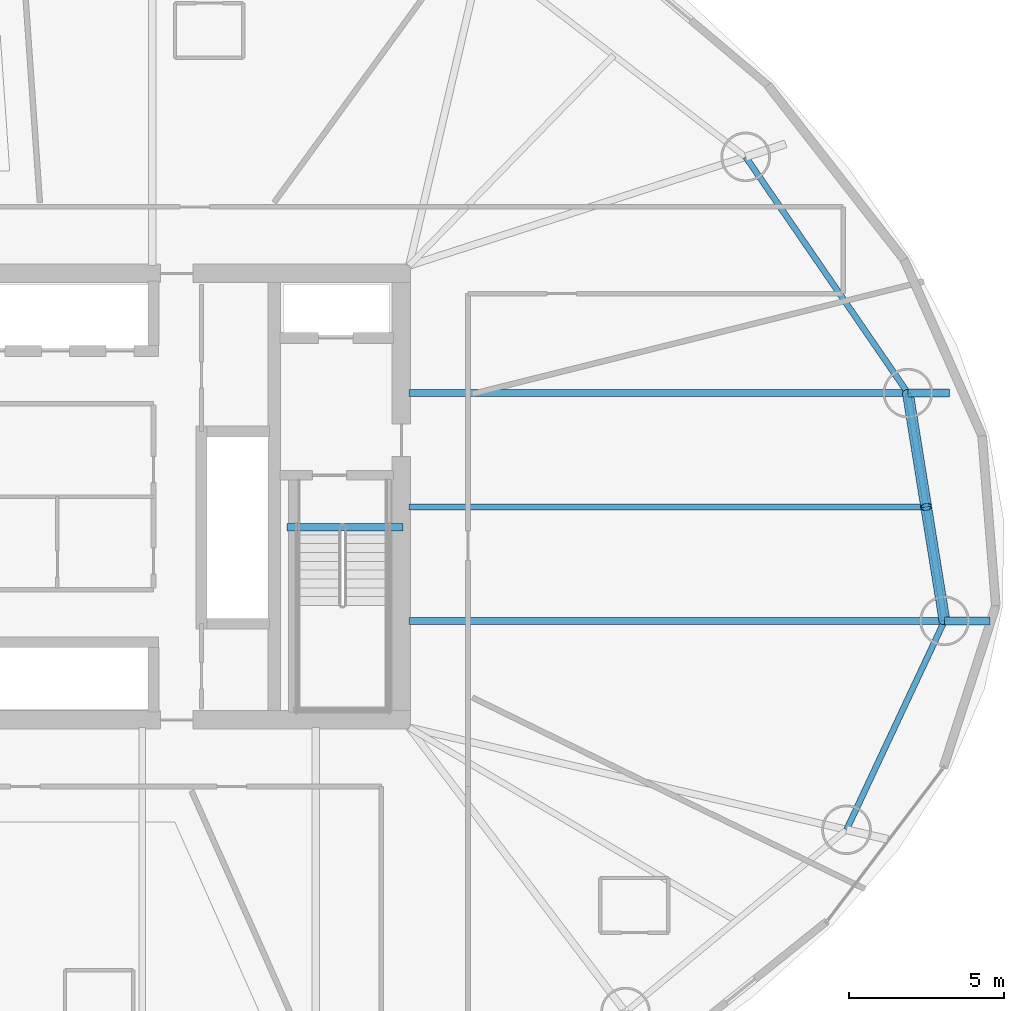
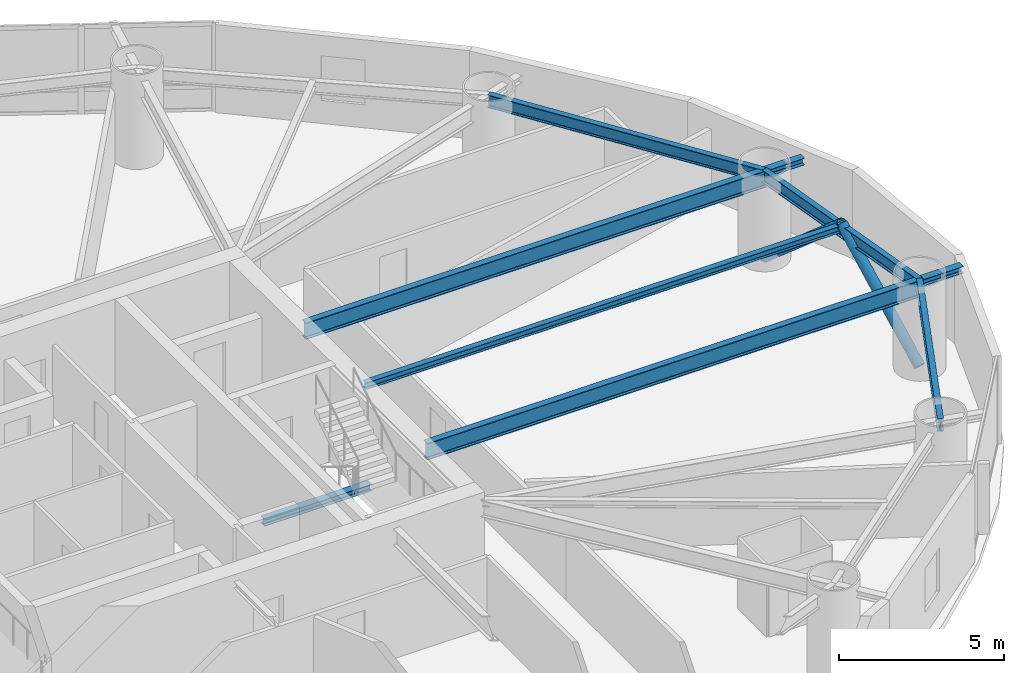
# One storey, part 6 of 19: 9 beams, 2 members.
"""IFC4 building model written with IfcOpenShell, lengths in metres."""

from ifc_helpers import new_model, si_unit, direction, frame, origin, origin_2d, place, context, subcontext, project, spatial, hollow_circle, i_section, extrude, material, material_profile, profile_set, type_object, element, save


model = new_model("IFC4")

# Units and contexts
model_context = context("Model", 3, precision=1e-05, world=origin(), true_north=direction((0.0, 1.0)))
body_context = subcontext(model_context, "Body", "Model", "MODEL_VIEW")
ifc_project = project(units=[si_unit("LENGTHUNIT", "METRE"), si_unit("AREAUNIT", "SQUARE_METRE"), si_unit("VOLUMEUNIT", "CUBIC_METRE"), si_unit("PLANEANGLEUNIT", "RADIAN"), si_unit("MASSUNIT", "GRAM", prefix="KILO")], contexts=[model_context])

# Site, building, storey
site_placement = place(None, origin())
site = spatial("IfcSite", under=ifc_project, at=site_placement, CompositionType="ELEMENT")
building_placement = place(site_placement, origin())
building = spatial("IfcBuilding", under=site, at=building_placement, Name="Bramvorn Convention Spire", CompositionType="ELEMENT")
storey_placement = place(building_placement, frame((0.0, 0.0, 62.39990234375)))
storey = spatial("IfcBuildingStorey", under=building, at=storey_placement, Name="L13", CompositionType="ELEMENT", Elevation=62.39990234375)

# Beams
ifc_material = material(Name="Steel CSA G40.21 Grade 350 (350W)", Category="steel")
ifc_material_profile_1 = material_profile(ifc_material, i_section(OverallWidth=0.201904296875, OverallDepth=0.2470703125, WebThickness=0.00732421875, FlangeThickness=0.010986328125, FilletRadius=0.011962890625, at=origin_2d()))
ifc_profile_set_1 = profile_set([ifc_material_profile_1], Name="Steel CSA G40.21 Grade 350 (350W) - W250X49")
beam_type_1 = type_object("IfcBeamType", Name="BM-W250X49", PredefinedType="JOIST", material=ifc_profile_set_1)
beam_1_placement = place(storey_placement, frame((49.25, 25.666015625, 3.126708984375), z_axis=(1.0, 0.0, 0.0), x_axis=(0.0, 1.0, 0.0)))
element("IfcBeam", 1, at=beam_1_placement, inside=storey, type_object=beam_type_1, Name="L13 composite floor joist 01", PredefinedType="JOIST", context=body_context, shape_type="SweptSolid", body=[
    extrude(i_section(OverallWidth=0.201904296875, OverallDepth=0.2470703125, WebThickness=0.00732421875, FlangeThickness=0.010986328125, FilletRadius=0.011962890625, at=origin_2d()), origin(), (0.0, 0.0, 1.0), 16.67919921875),
])
ifc_material_profile_2 = material_profile(ifc_material, i_section(OverallWidth=0.25390625, OverallDepth=0.2529296875, WebThickness=0.008544921875, FlangeThickness=0.01416015625, FilletRadius=0.011962890625, at=origin_2d()))
ifc_profile_set_2 = profile_set([ifc_material_profile_2], Name="Steel CSA G40.21 Grade 350 (350W) - W250X73")
beam_type_2 = type_object("IfcBeamType", Name="BM-W250X73", PredefinedType="BEAM", material=ifc_profile_set_2)
beam_2_placement = place(storey_placement, frame((66.519775390625, 21.99169921875, 3.12353515625), z_axis=(1.0, 0.0, 0.0), x_axis=(0.0, 1.0, 0.0)))
element("IfcBeam", 2, at=beam_2_placement, inside=storey, type_object=beam_type_2, Name="L13 slab-edge cantilever tip beam MC01", PredefinedType="BEAM", context=body_context, shape_type="SweptSolid", body=[
    extrude(i_section(OverallWidth=0.25390625, OverallDepth=0.2529296875, WebThickness=0.008544921875, FlangeThickness=0.01416015625, FilletRadius=0.011962890625, at=origin_2d()), origin(), (0.0, 0.0, 1.0), 1.464599609375),
])
beam_3_placement = place(storey_placement, frame((65.338623046875, 29.340087890625, 3.12353515625), z_axis=(1.0, 0.0, 0.0), x_axis=(0.0, 1.0, 0.0)))
element("IfcBeam", 3, at=beam_3_placement, inside=storey, type_object=beam_type_2, Name="L13 slab-edge cantilever tip beam MC02", PredefinedType="BEAM", context=body_context, shape_type="SweptSolid", body=[
    extrude(i_section(OverallWidth=0.25390625, OverallDepth=0.2529296875, WebThickness=0.008544921875, FlangeThickness=0.01416015625, FilletRadius=0.011962890625, at=origin_2d()), origin(), (0.0, 0.0, 1.0), 1.3349609375),
])
beam_4_placement = place(storey_placement, frame((45.31005859375, 25.010009765625, -0.12646484375), z_axis=(1.0, 0.0, 0.0), x_axis=(0.0, 1.0, 0.0)))
element("IfcBeam", 4, at=beam_4_placement, inside=storey, type_object=beam_type_2, Name="L13 ST2 stair arrival header beam", PredefinedType="BEAM", context=body_context, shape_type="SweptSolid", body=[
    extrude(i_section(OverallWidth=0.25390625, OverallDepth=0.2529296875, WebThickness=0.008544921875, FlangeThickness=0.01416015625, FilletRadius=0.011962890625, at=origin_2d()), origin(), (0.0, 0.0, 1.0), 3.739990234375),
])
ifc_material_profile_3 = material_profile(ifc_material, i_section(OverallWidth=0.194091796875, OverallDepth=0.468994140625, WebThickness=0.0126953125, FlangeThickness=0.0205078125, FilletRadius=0.01806640625, at=origin_2d()))
ifc_profile_set_3 = profile_set([ifc_material_profile_3], Name="Steel CSA G40.21 Grade 350 (350W) - W460X106")
beam_type_3 = type_object("IfcBeamType", Name="BM-W460X106", PredefinedType="SPANDREL", material=ifc_profile_set_3)
beam_5_placement = place(storey_placement, frame((66.519775390625, 21.99169921875, 3.015625), z_axis=(-0.158699222824, 0.987326975563, 0.0), x_axis=(-0.987326975563, -0.158699222824, 0.0)))
element("IfcBeam", 5, at=beam_5_placement, inside=storey, type_object=beam_type_3, Name="L13 mega-column ring beam 01", PredefinedType="SPANDREL", context=body_context, shape_type="SweptSolid", body=[
    extrude(i_section(OverallWidth=0.194091796875, OverallDepth=0.468994140625, WebThickness=0.0126953125, FlangeThickness=0.0205078125, FilletRadius=0.01806640625, at=origin_2d()), origin(), (0.0, 0.0, 1.0), 7.442626953125),
])
beam_6_placement = place(storey_placement, frame((65.338623046875, 29.340087890625, 3.015625), z_axis=(-0.566129730789, 0.824316157743, 0.0), x_axis=(-0.824316157743, -0.566129730789, 0.0)))
element("IfcBeam", 6, at=beam_6_placement, inside=storey, type_object=beam_type_3, Name="L13 mega-column ring beam 02", PredefinedType="SPANDREL", context=body_context, shape_type="SweptSolid", body=[
    extrude(i_section(OverallWidth=0.194091796875, OverallDepth=0.468994140625, WebThickness=0.0126953125, FlangeThickness=0.0205078125, FilletRadius=0.01806640625, at=origin_2d()), origin(), (0.0, 0.0, 1.0), 9.244140625),
])
beam_7_placement = place(storey_placement, frame((63.35888671875, 15.253662109375, 3.015625), z_axis=(0.424701955478, 0.9053332254, 0.0), x_axis=(-0.9053332254, 0.424701955478, 0.0)))
element("IfcBeam", 7, at=beam_7_placement, inside=storey, type_object=beam_type_3, Name="L13 mega-column ring beam 16", PredefinedType="SPANDREL", context=body_context, shape_type="SweptSolid", body=[
    extrude(i_section(OverallWidth=0.194091796875, OverallDepth=0.468994140625, WebThickness=0.0126953125, FlangeThickness=0.0205078125, FilletRadius=0.01806640625, at=origin_2d()), origin(), (0.0, 0.0, 1.0), 7.442626953125),
])
ifc_material_profile_4 = material_profile(ifc_material, i_section(OverallWidth=0.22998046875, OverallDepth=0.616943359375, WebThickness=0.01318359375, FlangeThickness=0.022216796875, FilletRadius=0.02001953125, at=origin_2d()))
ifc_profile_set_4 = profile_set([ifc_material_profile_4], Name="Steel CSA G40.21 Grade 350 (350W) - W610X140")
beam_type_4 = type_object("IfcBeamType", Name="BM-W610X140", PredefinedType="BEAM", material=ifc_profile_set_4)
beam_8_placement = place(storey_placement, frame((49.25, 21.99169921875, 2.941650390625), z_axis=(1.0, 0.0, 0.0), x_axis=(0.0, 1.0, 0.0)))
element("IfcBeam", 8, at=beam_8_placement, inside=storey, type_object=beam_type_4, Name="L13 radial floor girder MC01", PredefinedType="BEAM", context=body_context, shape_type="SweptSolid", body=[
    extrude(i_section(OverallWidth=0.22998046875, OverallDepth=0.616943359375, WebThickness=0.01318359375, FlangeThickness=0.022216796875, FilletRadius=0.02001953125, at=origin_2d()), origin(), (0.0, 0.0, 1.0), 17.269775390625),
])
beam_9_placement = place(storey_placement, frame((49.25, 29.340087890625, 2.941650390625), z_axis=(1.0, 0.0, 0.0), x_axis=(0.0, 1.0, 0.0)))
element("IfcBeam", 9, at=beam_9_placement, inside=storey, type_object=beam_type_4, Name="L13 radial floor girder MC02", PredefinedType="BEAM", context=body_context, shape_type="SweptSolid", body=[
    extrude(i_section(OverallWidth=0.22998046875, OverallDepth=0.616943359375, WebThickness=0.01318359375, FlangeThickness=0.022216796875, FilletRadius=0.02001953125, at=origin_2d()), origin(), (0.0, 0.0, 1.0), 16.088623046875),
])

# Members
ifc_material_profile_5 = material_profile(ifc_material, hollow_circle(Radius=0.177734375, WallThickness=0.015869140625, at=origin_2d()))
ifc_profile_set_5 = profile_set([ifc_material_profile_5], Name="Steel CSA G40.21 Grade 350 (350W) - CHS356X16")
member_type = type_object("IfcMemberType", Name="MBR-CHS356X16", PredefinedType="BRACE", material=ifc_profile_set_5)
member_1_placement = place(storey_placement, frame((66.519775390625, 21.99169921875, 0.0), z_axis=(-0.119529553136, 0.743662577386, 0.657783138217), x_axis=(-0.987327801673, -0.158694083206, 0.0)))
element("IfcMember", 10, at=member_1_placement, inside=storey, type_object=member_type, Name="L13 perimeter Gothic lancet brace 1A", PredefinedType="BRACE", context=body_context, shape_type="SweptSolid", body=[
    extrude(hollow_circle(Radius=0.177734375, WallThickness=0.015869140625, at=origin_2d()), origin(), (0.0, 0.0, 1.0), 4.94091796875),
])
member_2_placement = place(storey_placement, frame((65.338623046875, 29.340087890625, 0.0), z_axis=(0.119533945519, -0.74364049033, 0.657807309939), x_axis=(0.987326149374, 0.158704362771, 0.0)))
element("IfcMember", 11, at=member_2_placement, inside=storey, type_object=member_type, Name="L13 perimeter Gothic lancet brace 1B", PredefinedType="BRACE", context=body_context, shape_type="SweptSolid", body=[
    extrude(hollow_circle(Radius=0.177734375, WallThickness=0.015869140625, at=origin_2d()), origin(), (0.0, 0.0, 1.0), 4.940673828125),
])

save(model, "model.ifc")
